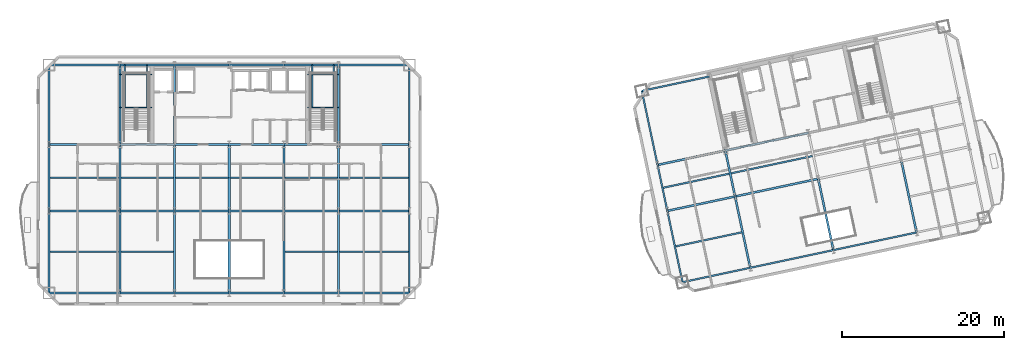
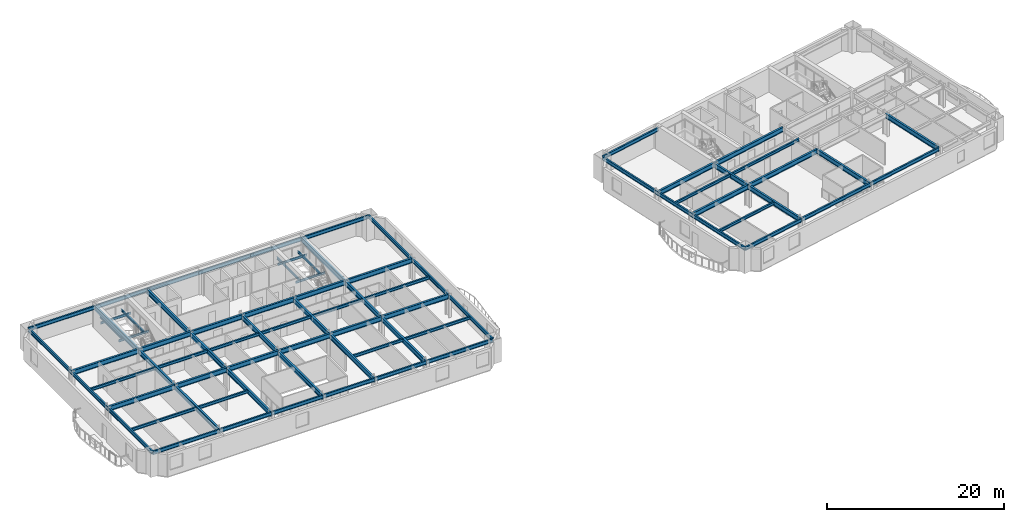
# One storey, part 3 of 14: 79 beams.
"""IFC4 building model written with IfcOpenShell, lengths in metres."""

from ifc_helpers import new_model, si_unit, direction, frame, origin, origin_2d, place, context, subcontext, project, spatial, i_section, extrude, material, material_profile, profile_set, type_object, element, save


model = new_model("IFC4")

# Units and contexts
model_context = context("Model", 3, precision=1e-05, world=origin(), true_north=direction((0.0, 1.0)))
body_context = subcontext(model_context, "Body", "Model", "MODEL_VIEW")
ifc_project = project(units=[si_unit("LENGTHUNIT", "METRE"), si_unit("AREAUNIT", "SQUARE_METRE"), si_unit("VOLUMEUNIT", "CUBIC_METRE"), si_unit("PLANEANGLEUNIT", "RADIAN"), si_unit("MASSUNIT", "GRAM", prefix="KILO")], contexts=[model_context])

# Site, building, storey
site_placement = place(None, origin())
site = spatial("IfcSite", under=ifc_project, at=site_placement, CompositionType="ELEMENT")
building_placement = place(site_placement, origin())
building = spatial("IfcBuilding", under=site, at=building_placement, Name="Haevon Station Towers", CompositionType="ELEMENT")
storey_placement = place(building_placement, frame((0.0, 0.0, 106.5)))
storey = spatial("IfcBuildingStorey", under=building, at=storey_placement, Name="L28", CompositionType="ELEMENT", Elevation=106.5)

# Beams
ifc_material = material(Name="Steel S355", Category="steel")
ifc_material_profile_1 = material_profile(ifc_material, i_section(OverallWidth=0.25, OverallDepth=0.64990234375, WebThickness=0.012939453125, FlangeThickness=0.02197265625, at=origin_2d()), Name="H-650x250x13x22")
ifc_profile_set_1 = profile_set([ifc_material_profile_1], Name="Steel S355")
beam_type_1 = type_object("IfcBeamType", Name="BM-G650", PredefinedType="BEAM", material=ifc_profile_set_1)
beam_1_placement = place(storey_placement, frame((15.25, 30.0, 2.72509765625), z_axis=(1.0, 0.0, 0.0), x_axis=(0.0, 1.0, 0.0)))
element("IfcBeam", 1, at=beam_1_placement, inside=storey, type_object=beam_type_1, Name="BM-T1U-L28-02-01", PredefinedType="BEAM", context=body_context, shape_type="SweptSolid", body=[
    extrude(i_section(OverallWidth=0.25, OverallDepth=0.64990234375, WebThickness=0.012939453125, FlangeThickness=0.02197265625, at=origin_2d()), origin(), (0.0, 0.0, 1.0), 8.75),
])
for number, where, z_axis, x_axis, name in (
    (2, (24.0, 30.0, 2.72509765625), (1.0, 0.0, 0.0), (0.0, 1.0, 0.0), "BM-T1U-L28-02-02"),
    (3, (30.75, 30.0, 2.72509765625), (1.0, 0.0, 0.0), (0.0, 1.0, 0.0), "BM-T1U-L28-02-03"),
    (4, (37.5, 30.0, 2.72509765625), (1.0, 0.0, 0.0), (0.0, 1.0, 0.0), "BM-T1U-L28-02-04"),
    (5, (44.25, 30.0, 2.72509765625), (1.0, 0.0, 0.0), (0.0, 1.0, 0.0), "BM-T1U-L28-02-05"),
):
    element("IfcBeam", number, at=place(storey_placement, frame(where, z_axis=z_axis, x_axis=x_axis)), inside=storey, type_object=beam_type_1, Name=name, PredefinedType="BEAM", context=body_context, shape_type="SweptSolid", body=[
        extrude(i_section(OverallWidth=0.25, OverallDepth=0.64990234375, WebThickness=0.012939453125, FlangeThickness=0.02197265625, at=origin_2d()), origin(), (0.0, 0.0, 1.0), 6.75),
    ])
for number, where, z_axis, x_axis, name in (
    (6, (51.0, 30.0, 2.72509765625), (1.0, 0.0, 0.0), (0.0, 1.0, 0.0), "BM-T1U-L28-02-06"),
    (7, (15.25, 38.199951171875, 2.72509765625), (1.0, 0.0, 0.0), (0.0, 1.0, 0.0), "BM-T1U-L28-03-01"),
):
    element("IfcBeam", number, at=place(storey_placement, frame(where, z_axis=z_axis, x_axis=x_axis)), inside=storey, type_object=beam_type_1, Name=name, PredefinedType="BEAM", context=body_context, shape_type="SweptSolid", body=[
        extrude(i_section(OverallWidth=0.25, OverallDepth=0.64990234375, WebThickness=0.012939453125, FlangeThickness=0.02197265625, at=origin_2d()), origin(), (0.0, 0.0, 1.0), 8.75),
    ])
for number, where, z_axis, x_axis, name in (
    (8, (24.0, 38.199951171875, 2.72509765625), (1.0, 0.0, 0.0), (0.0, 1.0, 0.0), "BM-T1U-L28-03-02"),
    (9, (30.75, 38.199951171875, 2.72509765625), (1.0, 0.0, 0.0), (0.0, 1.0, 0.0), "BM-T1U-L28-03-03"),
    (10, (37.5, 38.199951171875, 2.72509765625), (1.0, 0.0, 0.0), (0.0, 1.0, 0.0), "BM-T1U-L28-03-04"),
    (11, (44.25, 38.199951171875, 2.72509765625), (1.0, 0.0, 0.0), (0.0, 1.0, 0.0), "BM-T1U-L28-03-05"),
):
    element("IfcBeam", number, at=place(storey_placement, frame(where, z_axis=z_axis, x_axis=x_axis)), inside=storey, type_object=beam_type_1, Name=name, PredefinedType="BEAM", context=body_context, shape_type="SweptSolid", body=[
        extrude(i_section(OverallWidth=0.25, OverallDepth=0.64990234375, WebThickness=0.012939453125, FlangeThickness=0.02197265625, at=origin_2d()), origin(), (0.0, 0.0, 1.0), 6.75),
    ])
beam_2_placement = place(storey_placement, frame((51.0, 38.199951171875, 2.72509765625), z_axis=(1.0, 0.0, 0.0), x_axis=(0.0, 1.0, 0.0)))
element("IfcBeam", 12, at=beam_2_placement, inside=storey, type_object=beam_type_1, Name="BM-T1U-L28-03-06", PredefinedType="BEAM", context=body_context, shape_type="SweptSolid", body=[
    extrude(i_section(OverallWidth=0.25, OverallDepth=0.64990234375, WebThickness=0.012939453125, FlangeThickness=0.02197265625, at=origin_2d()), origin(), (0.0, 0.0, 1.0), 8.75),
])
beam_3_placement = place(storey_placement, frame((24.0, 19.85009765625, 2.72509765625), z_axis=(0.0, 1.0, 0.0), x_axis=(-1.0, 0.0, 0.0)))
element("IfcBeam", 13, at=beam_3_placement, inside=storey, type_object=beam_type_1, Name="BM-T1V-L28-02-01", PredefinedType="BEAM", context=body_context, shape_type="SweptSolid", body=[
    extrude(i_section(OverallWidth=0.25, OverallDepth=0.64990234375, WebThickness=0.012939453125, FlangeThickness=0.02197265625, at=origin_2d()), origin(), (0.0, 0.0, 1.0), 10.14990234375),
])
beam_4_placement = place(storey_placement, frame((24.0, 30.0, 2.72509765625), z_axis=(0.0, 1.0, 0.0), x_axis=(-1.0, 0.0, 0.0)))
element("IfcBeam", 14, at=beam_4_placement, inside=storey, type_object=beam_type_1, Name="BM-T1V-L28-02-02", PredefinedType="BEAM", context=body_context, shape_type="SweptSolid", body=[
    extrude(i_section(OverallWidth=0.25, OverallDepth=0.64990234375, WebThickness=0.012939453125, FlangeThickness=0.02197265625, at=origin_2d()), origin(), (0.0, 0.0, 1.0), 8.199951171875),
])
beam_5_placement = place(storey_placement, frame((24.0, 38.199951171875, 2.72509765625), z_axis=(0.0, 1.0, 0.0), x_axis=(-1.0, 0.0, 0.0)))
element("IfcBeam", 15, at=beam_5_placement, inside=storey, type_object=beam_type_1, Name="BM-T1V-L28-02-03", PredefinedType="BEAM", context=body_context, shape_type="SweptSolid", body=[
    extrude(i_section(OverallWidth=0.25, OverallDepth=0.64990234375, WebThickness=0.012939453125, FlangeThickness=0.02197265625, at=origin_2d()), origin(), (0.0, 0.0, 1.0), 9.800048828125),
])
beam_6_placement = place(storey_placement, frame((30.75, 19.85009765625, 2.72509765625), z_axis=(0.0, 1.0, 0.0), x_axis=(-1.0, 0.0, 0.0)))
element("IfcBeam", 16, at=beam_6_placement, inside=storey, type_object=beam_type_1, Name="BM-T1V-L28-03-01", PredefinedType="BEAM", context=body_context, shape_type="SweptSolid", body=[
    extrude(i_section(OverallWidth=0.25, OverallDepth=0.64990234375, WebThickness=0.012939453125, FlangeThickness=0.02197265625, at=origin_2d()), origin(), (0.0, 0.0, 1.0), 10.14990234375),
])
beam_7_placement = place(storey_placement, frame((30.75, 30.0, 2.72509765625), z_axis=(0.0, 1.0, 0.0), x_axis=(-1.0, 0.0, 0.0)))
element("IfcBeam", 17, at=beam_7_placement, inside=storey, type_object=beam_type_1, Name="BM-T1V-L28-03-02", PredefinedType="BEAM", context=body_context, shape_type="SweptSolid", body=[
    extrude(i_section(OverallWidth=0.25, OverallDepth=0.64990234375, WebThickness=0.012939453125, FlangeThickness=0.02197265625, at=origin_2d()), origin(), (0.0, 0.0, 1.0), 8.199951171875),
])
beam_8_placement = place(storey_placement, frame((30.75, 38.199951171875, 2.72509765625), z_axis=(0.0, 1.0, 0.0), x_axis=(-1.0, 0.0, 0.0)))
element("IfcBeam", 18, at=beam_8_placement, inside=storey, type_object=beam_type_1, Name="BM-T1V-L28-03-03", PredefinedType="BEAM", context=body_context, shape_type="SweptSolid", body=[
    extrude(i_section(OverallWidth=0.25, OverallDepth=0.64990234375, WebThickness=0.012939453125, FlangeThickness=0.02197265625, at=origin_2d()), origin(), (0.0, 0.0, 1.0), 9.800048828125),
])
beam_9_placement = place(storey_placement, frame((37.5, 19.85009765625, 2.72509765625), z_axis=(0.0, 1.0, 0.0), x_axis=(-1.0, 0.0, 0.0)))
element("IfcBeam", 19, at=beam_9_placement, inside=storey, type_object=beam_type_1, Name="BM-T1V-L28-04-01", PredefinedType="BEAM", context=body_context, shape_type="SweptSolid", body=[
    extrude(i_section(OverallWidth=0.25, OverallDepth=0.64990234375, WebThickness=0.012939453125, FlangeThickness=0.02197265625, at=origin_2d()), origin(), (0.0, 0.0, 1.0), 10.14990234375),
])
beam_10_placement = place(storey_placement, frame((37.5, 30.0, 2.72509765625), z_axis=(0.0, 1.0, 0.0), x_axis=(-1.0, 0.0, 0.0)))
element("IfcBeam", 20, at=beam_10_placement, inside=storey, type_object=beam_type_1, Name="BM-T1V-L28-04-02", PredefinedType="BEAM", context=body_context, shape_type="SweptSolid", body=[
    extrude(i_section(OverallWidth=0.25, OverallDepth=0.64990234375, WebThickness=0.012939453125, FlangeThickness=0.02197265625, at=origin_2d()), origin(), (0.0, 0.0, 1.0), 8.199951171875),
])
beam_11_placement = place(storey_placement, frame((44.25, 19.85009765625, 2.72509765625), z_axis=(0.0, 1.0, 0.0), x_axis=(-1.0, 0.0, 0.0)))
element("IfcBeam", 21, at=beam_11_placement, inside=storey, type_object=beam_type_1, Name="BM-T1V-L28-05-01", PredefinedType="BEAM", context=body_context, shape_type="SweptSolid", body=[
    extrude(i_section(OverallWidth=0.25, OverallDepth=0.64990234375, WebThickness=0.012939453125, FlangeThickness=0.02197265625, at=origin_2d()), origin(), (0.0, 0.0, 1.0), 10.14990234375),
])
beam_12_placement = place(storey_placement, frame((44.25, 30.0, 2.72509765625), z_axis=(0.0, 1.0, 0.0), x_axis=(-1.0, 0.0, 0.0)))
element("IfcBeam", 22, at=beam_12_placement, inside=storey, type_object=beam_type_1, Name="BM-T1V-L28-05-02", PredefinedType="BEAM", context=body_context, shape_type="SweptSolid", body=[
    extrude(i_section(OverallWidth=0.25, OverallDepth=0.64990234375, WebThickness=0.012939453125, FlangeThickness=0.02197265625, at=origin_2d()), origin(), (0.0, 0.0, 1.0), 8.199951171875),
])
beam_13_placement = place(storey_placement, frame((51.0, 19.85009765625, 2.72509765625), z_axis=(0.0, 1.0, 0.0), x_axis=(-1.0, 0.0, 0.0)))
element("IfcBeam", 23, at=beam_13_placement, inside=storey, type_object=beam_type_1, Name="BM-T1V-L28-06-01", PredefinedType="BEAM", context=body_context, shape_type="SweptSolid", body=[
    extrude(i_section(OverallWidth=0.25, OverallDepth=0.64990234375, WebThickness=0.012939453125, FlangeThickness=0.02197265625, at=origin_2d()), origin(), (0.0, 0.0, 1.0), 10.14990234375),
])
beam_14_placement = place(storey_placement, frame((51.0, 30.0, 2.72509765625), z_axis=(0.0, 1.0, 0.0), x_axis=(-1.0, 0.0, 0.0)))
element("IfcBeam", 24, at=beam_14_placement, inside=storey, type_object=beam_type_1, Name="BM-T1V-L28-06-02", PredefinedType="BEAM", context=body_context, shape_type="SweptSolid", body=[
    extrude(i_section(OverallWidth=0.25, OverallDepth=0.64990234375, WebThickness=0.012939453125, FlangeThickness=0.02197265625, at=origin_2d()), origin(), (0.0, 0.0, 1.0), 8.199951171875),
])
beam_15_placement = place(storey_placement, frame((51.0, 38.199951171875, 2.72509765625), z_axis=(0.0, 1.0, 0.0), x_axis=(-1.0, 0.0, 0.0)))
element("IfcBeam", 25, at=beam_15_placement, inside=storey, type_object=beam_type_1, Name="BM-T1V-L28-06-03", PredefinedType="BEAM", context=body_context, shape_type="SweptSolid", body=[
    extrude(i_section(OverallWidth=0.25, OverallDepth=0.64990234375, WebThickness=0.012939453125, FlangeThickness=0.02197265625, at=origin_2d()), origin(), (0.0, 0.0, 1.0), 9.800048828125),
])
beam_16_placement = place(storey_placement, frame((91.594970703125, 29.991455078125, 2.72509765625), z_axis=(0.978149560998, 0.207902468287, 0.0), x_axis=(-0.207902468287, 0.978149560998, 0.0)))
element("IfcBeam", 26, at=beam_16_placement, inside=storey, type_object=beam_type_1, Name="BM-T2U-L28-02-01", PredefinedType="BEAM", context=body_context, shape_type="SweptSolid", body=[
    extrude(i_section(OverallWidth=0.25, OverallDepth=0.64990234375, WebThickness=0.012939453125, FlangeThickness=0.02197265625, at=origin_2d()), origin(), (0.0, 0.0, 1.0), 8.550048828125),
])
beam_17_placement = place(storey_placement, frame((99.958251953125, 31.76904296875, 2.72509765625), z_axis=(0.978146794194, 0.207915485254, 0.0), x_axis=(-0.207915485254, 0.978146794194, 0.0)))
element("IfcBeam", 27, at=beam_17_placement, inside=storey, type_object=beam_type_1, Name="BM-T2U-L28-02-02", PredefinedType="BEAM", context=body_context, shape_type="SweptSolid", body=[
    extrude(i_section(OverallWidth=0.25, OverallDepth=0.64990234375, WebThickness=0.012939453125, FlangeThickness=0.02197265625, at=origin_2d()), origin(), (0.0, 0.0, 1.0), 10.5),
])
beam_18_placement = place(storey_placement, frame((90.38916015625, 35.664794921875, 2.72509765625), z_axis=(0.978149560998, 0.207902468287, 0.0), x_axis=(-0.207902468287, 0.978149560998, 0.0)))
element("IfcBeam", 28, at=beam_18_placement, inside=storey, type_object=beam_type_1, Name="BM-T2U-L28-03-01", PredefinedType="BEAM", context=body_context, shape_type="SweptSolid", body=[
    extrude(i_section(OverallWidth=0.25, OverallDepth=0.64990234375, WebThickness=0.012939453125, FlangeThickness=0.02197265625, at=origin_2d()), origin(), (0.0, 0.0, 1.0), 8.550048828125),
])
beam_19_placement = place(storey_placement, frame((98.75244140625, 37.4423828125, 2.72509765625), z_axis=(0.978146794194, 0.207915485254, 0.0), x_axis=(-0.207915485254, 0.978146794194, 0.0)))
element("IfcBeam", 29, at=beam_19_placement, inside=storey, type_object=beam_type_1, Name="BM-T2U-L28-03-02", PredefinedType="BEAM", context=body_context, shape_type="SweptSolid", body=[
    extrude(i_section(OverallWidth=0.25, OverallDepth=0.64990234375, WebThickness=0.012939453125, FlangeThickness=0.02197265625, at=origin_2d()), origin(), (0.0, 0.0, 1.0), 10.5),
])
beam_20_placement = place(storey_placement, frame((101.829345703125, 22.9658203125, 2.72509765625), z_axis=(-0.20790223038, 0.978149611564, 0.0), x_axis=(-0.978149611564, -0.20790223038, 0.0)))
element("IfcBeam", 30, at=beam_20_placement, inside=storey, type_object=beam_type_1, Name="BM-T2V-L28-02-01", PredefinedType="BEAM", context=body_context, shape_type="SweptSolid", body=[
    extrude(i_section(OverallWidth=0.25, OverallDepth=0.64990234375, WebThickness=0.012939453125, FlangeThickness=0.02197265625, at=origin_2d()), origin(), (0.0, 0.0, 1.0), 8.999755859375),
])
beam_21_placement = place(storey_placement, frame((99.958251953125, 31.76904296875, 2.72509765625), z_axis=(-0.207896009217, 0.97815093383, 0.0), x_axis=(-0.97815093383, -0.207896009217, 0.0)))
element("IfcBeam", 31, at=beam_21_placement, inside=storey, type_object=beam_type_1, Name="BM-T2V-L28-02-02", PredefinedType="BEAM", context=body_context, shape_type="SweptSolid", body=[
    extrude(i_section(OverallWidth=0.25, OverallDepth=0.64990234375, WebThickness=0.012939453125, FlangeThickness=0.02197265625, at=origin_2d()), origin(), (0.0, 0.0, 1.0), 5.800048828125),
])
for number, where, z_axis, x_axis, name in (
    (32, (112.10009765625, 25.14892578125, 2.72509765625), (-0.207928184753, 0.978144094694, 0.0), (-0.978144094694, -0.207928184753, 0.0), "BM-T2V-L28-03-01"),
    (33, (122.37060546875, 27.33203125, 2.72509765625), (-0.207928184753, 0.978144094694, 0.0), (-0.978144094694, -0.207928184753, 0.0), "BM-T2V-L28-04-01"),
):
    element("IfcBeam", number, at=place(storey_placement, frame(where, z_axis=z_axis, x_axis=x_axis)), inside=storey, type_object=beam_type_1, Name=name, PredefinedType="BEAM", context=body_context, shape_type="SweptSolid", body=[
        extrude(i_section(OverallWidth=0.25, OverallDepth=0.64990234375, WebThickness=0.012939453125, FlangeThickness=0.02197265625, at=origin_2d()), origin(), (0.0, 0.0, 1.0), 9.0),
    ])
ifc_material_profile_2 = material_profile(ifc_material, i_section(OverallWidth=0.199951171875, OverallDepth=0.39990234375, WebThickness=0.008056640625, FlangeThickness=0.012939453125, at=origin_2d()), Name="H-400x200x8x13")
ifc_profile_set_2 = profile_set([ifc_material_profile_2], Name="Steel S355")
beam_type_2 = type_object("IfcBeamType", Name="BM-J400", PredefinedType="JOIST", material=ifc_profile_set_2)
beam_22_placement = place(storey_placement, frame((15.360107421875, 24.925048828125, 2.85009765625), z_axis=(1.0, 0.0, 0.0), x_axis=(0.0, 1.0, 0.0)))
element("IfcBeam", 34, at=beam_22_placement, inside=storey, type_object=beam_type_2, Name="BM-T1J-L28-01-01", PredefinedType="JOIST", context=body_context, shape_type="SweptSolid", body=[
    extrude(i_section(OverallWidth=0.199951171875, OverallDepth=0.39990234375, WebThickness=0.008056640625, FlangeThickness=0.012939453125, at=origin_2d()), origin(), (0.0, 0.0, 1.0), 8.52978515625),
])
for number, where, z_axis, x_axis, name in (
    (35, (24.110107421875, 24.925048828125, 2.85009765625), (1.0, 0.0, 0.0), (0.0, 1.0, 0.0), "BM-T1J-L28-01-02"),
    (36, (44.360107421875, 24.925048828125, 2.85009765625), (1.0, 0.0, 0.0), (0.0, 1.0, 0.0), "BM-T1J-L28-01-05"),
):
    element("IfcBeam", number, at=place(storey_placement, frame(where, z_axis=z_axis, x_axis=x_axis)), inside=storey, type_object=beam_type_2, Name=name, PredefinedType="JOIST", context=body_context, shape_type="SweptSolid", body=[
        extrude(i_section(OverallWidth=0.199951171875, OverallDepth=0.39990234375, WebThickness=0.008056640625, FlangeThickness=0.012939453125, at=origin_2d()), origin(), (0.0, 0.0, 1.0), 6.52978515625),
    ])
for number, where, z_axis, x_axis, name in (
    (37, (51.110107421875, 24.925048828125, 2.85009765625), (1.0, 0.0, 0.0), (0.0, 1.0, 0.0), "BM-T1J-L28-01-06"),
    (38, (15.360107421875, 34.10009765625, 2.85009765625), (1.0, 0.0, 0.0), (0.0, 1.0, 0.0), "BM-T1J-L28-02-01"),
):
    element("IfcBeam", number, at=place(storey_placement, frame(where, z_axis=z_axis, x_axis=x_axis)), inside=storey, type_object=beam_type_2, Name=name, PredefinedType="JOIST", context=body_context, shape_type="SweptSolid", body=[
        extrude(i_section(OverallWidth=0.199951171875, OverallDepth=0.39990234375, WebThickness=0.008056640625, FlangeThickness=0.012939453125, at=origin_2d()), origin(), (0.0, 0.0, 1.0), 8.52978515625),
    ])
for number, where, z_axis, x_axis, name in (
    (39, (24.110107421875, 34.10009765625, 2.85009765625), (1.0, 0.0, 0.0), (0.0, 1.0, 0.0), "BM-T1J-L28-02-02"),
    (40, (30.860107421875, 34.10009765625, 2.85009765625), (1.0, 0.0, 0.0), (0.0, 1.0, 0.0), "BM-T1J-L28-02-03"),
    (41, (37.610107421875, 34.10009765625, 2.85009765625), (1.0, 0.0, 0.0), (0.0, 1.0, 0.0), "BM-T1J-L28-02-04"),
    (42, (44.360107421875, 34.10009765625, 2.85009765625), (1.0, 0.0, 0.0), (0.0, 1.0, 0.0), "BM-T1J-L28-02-05"),
):
    element("IfcBeam", number, at=place(storey_placement, frame(where, z_axis=z_axis, x_axis=x_axis)), inside=storey, type_object=beam_type_2, Name=name, PredefinedType="JOIST", context=body_context, shape_type="SweptSolid", body=[
        extrude(i_section(OverallWidth=0.199951171875, OverallDepth=0.39990234375, WebThickness=0.008056640625, FlangeThickness=0.012939453125, at=origin_2d()), origin(), (0.0, 0.0, 1.0), 6.52978515625),
    ])
beam_23_placement = place(storey_placement, frame((51.110107421875, 34.10009765625, 2.85009765625), z_axis=(1.0, 0.0, 0.0), x_axis=(0.0, 1.0, 0.0)))
element("IfcBeam", 43, at=beam_23_placement, inside=storey, type_object=beam_type_2, Name="BM-T1J-L28-02-06", PredefinedType="JOIST", context=body_context, shape_type="SweptSolid", body=[
    extrude(i_section(OverallWidth=0.199951171875, OverallDepth=0.39990234375, WebThickness=0.008056640625, FlangeThickness=0.012939453125, at=origin_2d()), origin(), (0.0, 0.0, 1.0), 8.52978515625),
])
beam_24_placement = place(storey_placement, frame((92.63818359375, 25.61279296875, 2.85009765625), z_axis=(0.978146782292, 0.207915541247, 0.0), x_axis=(-0.207915541247, 0.978146782292, 0.0)))
element("IfcBeam", 44, at=beam_24_placement, inside=storey, type_object=beam_type_2, Name="BM-T2J-L28-01-01", PredefinedType="JOIST", context=body_context, shape_type="SweptSolid", body=[
    extrude(i_section(OverallWidth=0.199951171875, OverallDepth=0.39990234375, WebThickness=0.008056640625, FlangeThickness=0.012939453125, at=origin_2d()), origin(), (0.0, 0.0, 1.0), 8.330078125),
])
beam_25_placement = place(storey_placement, frame((91.099609375, 32.85107421875, 2.85009765625), z_axis=(0.978148049217, 0.207909580858, 0.0), x_axis=(-0.207909580858, 0.978148049217, 0.0)))
element("IfcBeam", 45, at=beam_25_placement, inside=storey, type_object=beam_type_2, Name="BM-T2J-L28-02-01", PredefinedType="JOIST", context=body_context, shape_type="SweptSolid", body=[
    extrude(i_section(OverallWidth=0.199951171875, OverallDepth=0.39990234375, WebThickness=0.008056640625, FlangeThickness=0.012939453125, at=origin_2d()), origin(), (0.0, 0.0, 1.0), 8.330322265625),
])
beam_26_placement = place(storey_placement, frame((99.462890625, 34.628662109375, 2.85009765625), z_axis=(0.978150339653, 0.207898804801, 0.0), x_axis=(-0.207898804801, 0.978150339653, 0.0)))
element("IfcBeam", 46, at=beam_26_placement, inside=storey, type_object=beam_type_2, Name="BM-T2J-L28-02-02", PredefinedType="JOIST", context=body_context, shape_type="SweptSolid", body=[
    extrude(i_section(OverallWidth=0.199951171875, OverallDepth=0.39990234375, WebThickness=0.008056640625, FlangeThickness=0.012939453125, at=origin_2d()), origin(), (0.0, 0.0, 1.0), 10.280029296875),
])
ifc_material_profile_3 = material_profile(ifc_material, i_section(OverallWidth=0.14990234375, OverallDepth=0.300048828125, WebThickness=0.006591796875, FlangeThickness=0.009033203125, at=origin_2d()), Name="H-300x150x6.5x9")
ifc_profile_set_3 = profile_set([ifc_material_profile_3], Name="Steel S355")
beam_type_3 = type_object("IfcBeamType", Name="BM-LIN300", PredefinedType="LINTEL", material=ifc_profile_set_3)
for number, where, z_axis, x_axis, name in (
    (47, (24.0, 42.743896484375, 1.300048828125), (1.0, 0.0, 0.0), (0.0, 1.0, 0.0), "BM-ST1L-L28-1-S"),
    (48, (24.0, 46.820068359375, 1.300048828125), (1.0, 0.0, 0.0), (0.0, 1.0, 0.0), "BM-ST1L-L28-1-N"),
):
    element("IfcBeam", number, at=place(storey_placement, frame(where, z_axis=z_axis, x_axis=x_axis)), inside=storey, type_object=beam_type_3, Name=name, PredefinedType="LINTEL", context=body_context, shape_type="SweptSolid", body=[
        extrude(i_section(OverallWidth=0.14990234375, OverallDepth=0.300048828125, WebThickness=0.006591796875, FlangeThickness=0.009033203125, at=origin_2d()), origin(), (0.0, 0.0, 1.0), 3.949951171875),
    ])
for number, where, z_axis, x_axis, name in (
    (49, (24.60009765625, 42.743896484375, 1.300048828125), (0.0, 1.0, 0.0), (-1.0, 0.0, 0.0), "BM-ST1L-L28-1-W"),
    (50, (27.35009765625, 42.743896484375, 1.300048828125), (0.0, 1.0, 0.0), (-1.0, 0.0, 0.0), "BM-ST1L-L28-1-E"),
):
    element("IfcBeam", number, at=place(storey_placement, frame(where, z_axis=z_axis, x_axis=x_axis)), inside=storey, type_object=beam_type_3, Name=name, PredefinedType="LINTEL", context=body_context, shape_type="SweptSolid", body=[
        extrude(i_section(OverallWidth=0.14990234375, OverallDepth=0.300048828125, WebThickness=0.006591796875, FlangeThickness=0.009033203125, at=origin_2d()), origin(), (0.0, 0.0, 1.0), 5.256103515625),
    ])
for number, where, z_axis, x_axis, name in (
    (51, (47.14990234375, 42.743896484375, 1.300048828125), (1.0, 0.0, 0.0), (0.0, 1.0, 0.0), "BM-ST2L-L28-1-S"),
    (52, (47.14990234375, 46.820068359375, 1.300048828125), (1.0, 0.0, 0.0), (0.0, 1.0, 0.0), "BM-ST2L-L28-1-N"),
):
    element("IfcBeam", number, at=place(storey_placement, frame(where, z_axis=z_axis, x_axis=x_axis)), inside=storey, type_object=beam_type_3, Name=name, PredefinedType="LINTEL", context=body_context, shape_type="SweptSolid", body=[
        extrude(i_section(OverallWidth=0.14990234375, OverallDepth=0.300048828125, WebThickness=0.006591796875, FlangeThickness=0.009033203125, at=origin_2d()), origin(), (0.0, 0.0, 1.0), 3.85009765625),
    ])
for number, where, z_axis, x_axis, name in (
    (53, (47.75, 42.743896484375, 1.300048828125), (0.0, 1.0, 0.0), (-1.0, 0.0, 0.0), "BM-ST2L-L28-1-W"),
    (54, (50.39990234375, 42.743896484375, 1.300048828125), (0.0, 1.0, 0.0), (-1.0, 0.0, 0.0), "BM-ST2L-L28-1-E"),
):
    element("IfcBeam", number, at=place(storey_placement, frame(where, z_axis=z_axis, x_axis=x_axis)), inside=storey, type_object=beam_type_3, Name=name, PredefinedType="LINTEL", context=body_context, shape_type="SweptSolid", body=[
        extrude(i_section(OverallWidth=0.14990234375, OverallDepth=0.300048828125, WebThickness=0.006591796875, FlangeThickness=0.009033203125, at=origin_2d()), origin(), (0.0, 0.0, 1.0), 5.256103515625),
    ])
ifc_material_profile_4 = material_profile(ifc_material, i_section(OverallWidth=0.199951171875, OverallDepth=0.5, WebThickness=0.010009765625, FlangeThickness=0.01611328125, at=origin_2d()), Name="H-500x200x10x16")
ifc_profile_set_4 = profile_set([ifc_material_profile_4], Name="Steel S355")
beam_type_4 = type_object("IfcBeamType", Name="BM-SP500", PredefinedType="SPANDREL", material=ifc_profile_set_4)
beam_27_placement = place(storey_placement, frame((15.25, 19.85009765625, 2.800048828125), z_axis=(1.0, 0.0, 0.0), x_axis=(0.0, 1.0, 0.0)))
element("IfcBeam", 55, at=beam_27_placement, inside=storey, type_object=beam_type_4, Name="BM-T1U-L28-01-01", PredefinedType="SPANDREL", context=body_context, shape_type="SweptSolid", body=[
    extrude(i_section(OverallWidth=0.199951171875, OverallDepth=0.5, WebThickness=0.010009765625, FlangeThickness=0.01611328125, at=origin_2d()), origin(), (0.0, 0.0, 1.0), 8.75),
])
for number, where, z_axis, x_axis, name in (
    (56, (24.0, 19.85009765625, 2.800048828125), (1.0, 0.0, 0.0), (0.0, 1.0, 0.0), "BM-T1U-L28-01-02"),
    (57, (30.75, 19.85009765625, 2.800048828125), (1.0, 0.0, 0.0), (0.0, 1.0, 0.0), "BM-T1U-L28-01-03"),
    (58, (37.5, 19.85009765625, 2.800048828125), (1.0, 0.0, 0.0), (0.0, 1.0, 0.0), "BM-T1U-L28-01-04"),
    (59, (44.25, 19.85009765625, 2.800048828125), (1.0, 0.0, 0.0), (0.0, 1.0, 0.0), "BM-T1U-L28-01-05"),
):
    element("IfcBeam", number, at=place(storey_placement, frame(where, z_axis=z_axis, x_axis=x_axis)), inside=storey, type_object=beam_type_4, Name=name, PredefinedType="SPANDREL", context=body_context, shape_type="SweptSolid", body=[
        extrude(i_section(OverallWidth=0.199951171875, OverallDepth=0.5, WebThickness=0.010009765625, FlangeThickness=0.01611328125, at=origin_2d()), origin(), (0.0, 0.0, 1.0), 6.75),
    ])
for number, where, z_axis, x_axis, name in (
    (60, (51.0, 19.85009765625, 2.800048828125), (1.0, 0.0, 0.0), (0.0, 1.0, 0.0), "BM-T1U-L28-01-06"),
    (61, (15.25, 48.0, 2.800048828125), (1.0, 0.0, 0.0), (0.0, 1.0, 0.0), "BM-T1U-L28-04-01"),
):
    element("IfcBeam", number, at=place(storey_placement, frame(where, z_axis=z_axis, x_axis=x_axis)), inside=storey, type_object=beam_type_4, Name=name, PredefinedType="SPANDREL", context=body_context, shape_type="SweptSolid", body=[
        extrude(i_section(OverallWidth=0.199951171875, OverallDepth=0.5, WebThickness=0.010009765625, FlangeThickness=0.01611328125, at=origin_2d()), origin(), (0.0, 0.0, 1.0), 8.75),
    ])
for number, where, z_axis, x_axis, name in (
    (62, (24.0, 48.0, 2.800048828125), (1.0, 0.0, 0.0), (0.0, 1.0, 0.0), "BM-T1U-L28-04-02"),
    (63, (30.75, 48.0, 2.800048828125), (1.0, 0.0, 0.0), (0.0, 1.0, 0.0), "BM-T1U-L28-04-03"),
    (64, (37.5, 48.0, 2.800048828125), (1.0, 0.0, 0.0), (0.0, 1.0, 0.0), "BM-T1U-L28-04-04"),
    (65, (44.25, 48.0, 2.800048828125), (1.0, 0.0, 0.0), (0.0, 1.0, 0.0), "BM-T1U-L28-04-05"),
):
    element("IfcBeam", number, at=place(storey_placement, frame(where, z_axis=z_axis, x_axis=x_axis)), inside=storey, type_object=beam_type_4, Name=name, PredefinedType="SPANDREL", context=body_context, shape_type="SweptSolid", body=[
        extrude(i_section(OverallWidth=0.199951171875, OverallDepth=0.5, WebThickness=0.010009765625, FlangeThickness=0.01611328125, at=origin_2d()), origin(), (0.0, 0.0, 1.0), 6.75),
    ])
beam_28_placement = place(storey_placement, frame((51.0, 48.0, 2.800048828125), z_axis=(1.0, 0.0, 0.0), x_axis=(0.0, 1.0, 0.0)))
element("IfcBeam", 66, at=beam_28_placement, inside=storey, type_object=beam_type_4, Name="BM-T1U-L28-04-06", PredefinedType="SPANDREL", context=body_context, shape_type="SweptSolid", body=[
    extrude(i_section(OverallWidth=0.199951171875, OverallDepth=0.5, WebThickness=0.010009765625, FlangeThickness=0.01611328125, at=origin_2d()), origin(), (0.0, 0.0, 1.0), 8.75),
])
beam_29_placement = place(storey_placement, frame((15.25, 19.85009765625, 2.800048828125), z_axis=(0.0, 1.0, 0.0), x_axis=(-1.0, 0.0, 0.0)))
element("IfcBeam", 67, at=beam_29_placement, inside=storey, type_object=beam_type_4, Name="BM-T1V-L28-01-01", PredefinedType="SPANDREL", context=body_context, shape_type="SweptSolid", body=[
    extrude(i_section(OverallWidth=0.199951171875, OverallDepth=0.5, WebThickness=0.010009765625, FlangeThickness=0.01611328125, at=origin_2d()), origin(), (0.0, 0.0, 1.0), 10.14990234375),
])
beam_30_placement = place(storey_placement, frame((15.25, 30.0, 2.800048828125), z_axis=(0.0, 1.0, 0.0), x_axis=(-1.0, 0.0, 0.0)))
element("IfcBeam", 68, at=beam_30_placement, inside=storey, type_object=beam_type_4, Name="BM-T1V-L28-01-02", PredefinedType="SPANDREL", context=body_context, shape_type="SweptSolid", body=[
    extrude(i_section(OverallWidth=0.199951171875, OverallDepth=0.5, WebThickness=0.010009765625, FlangeThickness=0.01611328125, at=origin_2d()), origin(), (0.0, 0.0, 1.0), 8.199951171875),
])
beam_31_placement = place(storey_placement, frame((15.25, 38.199951171875, 2.800048828125), z_axis=(0.0, 1.0, 0.0), x_axis=(-1.0, 0.0, 0.0)))
element("IfcBeam", 69, at=beam_31_placement, inside=storey, type_object=beam_type_4, Name="BM-T1V-L28-01-03", PredefinedType="SPANDREL", context=body_context, shape_type="SweptSolid", body=[
    extrude(i_section(OverallWidth=0.199951171875, OverallDepth=0.5, WebThickness=0.010009765625, FlangeThickness=0.01611328125, at=origin_2d()), origin(), (0.0, 0.0, 1.0), 9.800048828125),
])
beam_32_placement = place(storey_placement, frame((59.75, 19.85009765625, 2.800048828125), z_axis=(0.0, 1.0, 0.0), x_axis=(-1.0, 0.0, 0.0)))
element("IfcBeam", 70, at=beam_32_placement, inside=storey, type_object=beam_type_4, Name="BM-T1V-L28-07-01", PredefinedType="SPANDREL", context=body_context, shape_type="SweptSolid", body=[
    extrude(i_section(OverallWidth=0.199951171875, OverallDepth=0.5, WebThickness=0.010009765625, FlangeThickness=0.01611328125, at=origin_2d()), origin(), (0.0, 0.0, 1.0), 10.14990234375),
])
beam_33_placement = place(storey_placement, frame((59.75, 30.0, 2.800048828125), z_axis=(0.0, 1.0, 0.0), x_axis=(-1.0, 0.0, 0.0)))
element("IfcBeam", 71, at=beam_33_placement, inside=storey, type_object=beam_type_4, Name="BM-T1V-L28-07-02", PredefinedType="SPANDREL", context=body_context, shape_type="SweptSolid", body=[
    extrude(i_section(OverallWidth=0.199951171875, OverallDepth=0.5, WebThickness=0.010009765625, FlangeThickness=0.01611328125, at=origin_2d()), origin(), (0.0, 0.0, 1.0), 8.199951171875),
])
beam_34_placement = place(storey_placement, frame((59.75, 38.199951171875, 2.800048828125), z_axis=(0.0, 1.0, 0.0), x_axis=(-1.0, 0.0, 0.0)))
element("IfcBeam", 72, at=beam_34_placement, inside=storey, type_object=beam_type_4, Name="BM-T1V-L28-07-03", PredefinedType="SPANDREL", context=body_context, shape_type="SweptSolid", body=[
    extrude(i_section(OverallWidth=0.199951171875, OverallDepth=0.5, WebThickness=0.010009765625, FlangeThickness=0.01611328125, at=origin_2d()), origin(), (0.0, 0.0, 1.0), 9.800048828125),
])
beam_35_placement = place(storey_placement, frame((93.46630859375, 21.188232421875, 2.800048828125), z_axis=(0.978148326739, 0.2079082752, 0.0), x_axis=(-0.2079082752, 0.978148326739, 0.0)))
element("IfcBeam", 73, at=beam_35_placement, inside=storey, type_object=beam_type_4, Name="BM-T2U-L28-01-01", PredefinedType="SPANDREL", context=body_context, shape_type="SweptSolid", body=[
    extrude(i_section(OverallWidth=0.199951171875, OverallDepth=0.5, WebThickness=0.010009765625, FlangeThickness=0.01611328125, at=origin_2d()), origin(), (0.0, 0.0, 1.0), 8.5498046875),
])
beam_36_placement = place(storey_placement, frame((101.829345703125, 22.9658203125, 2.800048828125), z_axis=(0.978147799298, 0.207910756646, 0.0), x_axis=(-0.207910756646, 0.978147799298, 0.0)))
element("IfcBeam", 74, at=beam_36_placement, inside=storey, type_object=beam_type_4, Name="BM-T2U-L28-01-02", PredefinedType="SPANDREL", context=body_context, shape_type="SweptSolid", body=[
    extrude(i_section(OverallWidth=0.199951171875, OverallDepth=0.5, WebThickness=0.010009765625, FlangeThickness=0.01611328125, at=origin_2d()), origin(), (0.0, 0.0, 1.0), 10.500244140625),
])
beam_37_placement = place(storey_placement, frame((112.10009765625, 25.14892578125, 2.800048828125), z_axis=(0.978146794194, 0.207915485254, 0.0), x_axis=(-0.207915485254, 0.978146794194, 0.0)))
element("IfcBeam", 75, at=beam_37_placement, inside=storey, type_object=beam_type_4, Name="BM-T2U-L28-01-03", PredefinedType="SPANDREL", context=body_context, shape_type="SweptSolid", body=[
    extrude(i_section(OverallWidth=0.199951171875, OverallDepth=0.5, WebThickness=0.010009765625, FlangeThickness=0.01611328125, at=origin_2d()), origin(), (0.0, 0.0, 1.0), 10.5),
])
beam_38_placement = place(storey_placement, frame((88.4453125, 44.810546875, 2.800048828125), z_axis=(0.978148326739, 0.2079082752, 0.0), x_axis=(-0.2079082752, 0.978148326739, 0.0)))
element("IfcBeam", 76, at=beam_38_placement, inside=storey, type_object=beam_type_4, Name="BM-T2U-L28-04-01", PredefinedType="SPANDREL", context=body_context, shape_type="SweptSolid", body=[
    extrude(i_section(OverallWidth=0.199951171875, OverallDepth=0.5, WebThickness=0.010009765625, FlangeThickness=0.01611328125, at=origin_2d()), origin(), (0.0, 0.0, 1.0), 8.5498046875),
])
beam_39_placement = place(storey_placement, frame((93.46630859375, 21.188232421875, 2.800048828125), z_axis=(-0.207928184753, 0.978144094694, 0.0), x_axis=(-0.978144094694, -0.207928184753, 0.0)))
element("IfcBeam", 77, at=beam_39_placement, inside=storey, type_object=beam_type_4, Name="BM-T2V-L28-01-01", PredefinedType="SPANDREL", context=body_context, shape_type="SweptSolid", body=[
    extrude(i_section(OverallWidth=0.199951171875, OverallDepth=0.5, WebThickness=0.010009765625, FlangeThickness=0.01611328125, at=origin_2d()), origin(), (0.0, 0.0, 1.0), 9.0),
])
beam_40_placement = place(storey_placement, frame((91.594970703125, 29.991455078125, 2.800048828125), z_axis=(-0.207896009217, 0.97815093383, 0.0), x_axis=(-0.97815093383, -0.207896009217, 0.0)))
element("IfcBeam", 78, at=beam_40_placement, inside=storey, type_object=beam_type_4, Name="BM-T2V-L28-01-02", PredefinedType="SPANDREL", context=body_context, shape_type="SweptSolid", body=[
    extrude(i_section(OverallWidth=0.199951171875, OverallDepth=0.5, WebThickness=0.010009765625, FlangeThickness=0.01611328125, at=origin_2d()), origin(), (0.0, 0.0, 1.0), 5.800048828125),
])
beam_41_placement = place(storey_placement, frame((90.38916015625, 35.664794921875, 2.800048828125), z_axis=(-0.207897167074, 0.978150687738, 0.0), x_axis=(-0.978150687738, -0.207897167074, 0.0)))
element("IfcBeam", 79, at=beam_41_placement, inside=storey, type_object=beam_type_4, Name="BM-T2V-L28-01-03", PredefinedType="SPANDREL", context=body_context, shape_type="SweptSolid", body=[
    extrude(i_section(OverallWidth=0.199951171875, OverallDepth=0.5, WebThickness=0.010009765625, FlangeThickness=0.01611328125, at=origin_2d()), origin(), (0.0, 0.0, 1.0), 9.35009765625),
])

save(model, "model.ifc")
